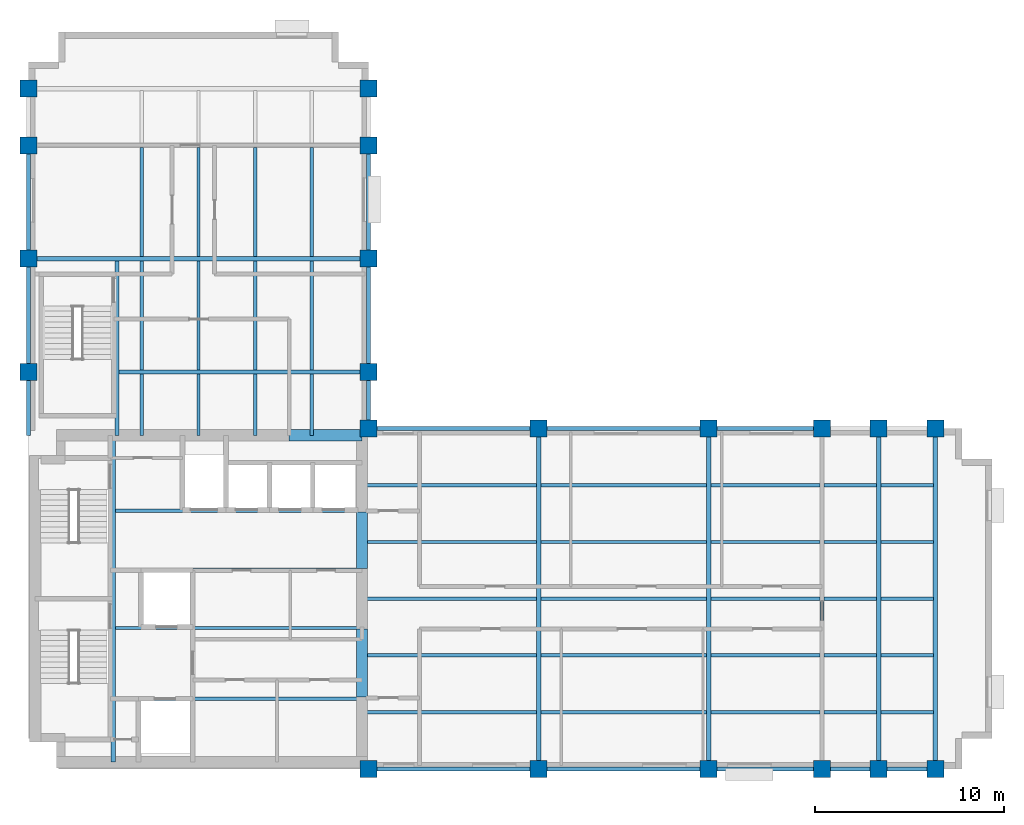
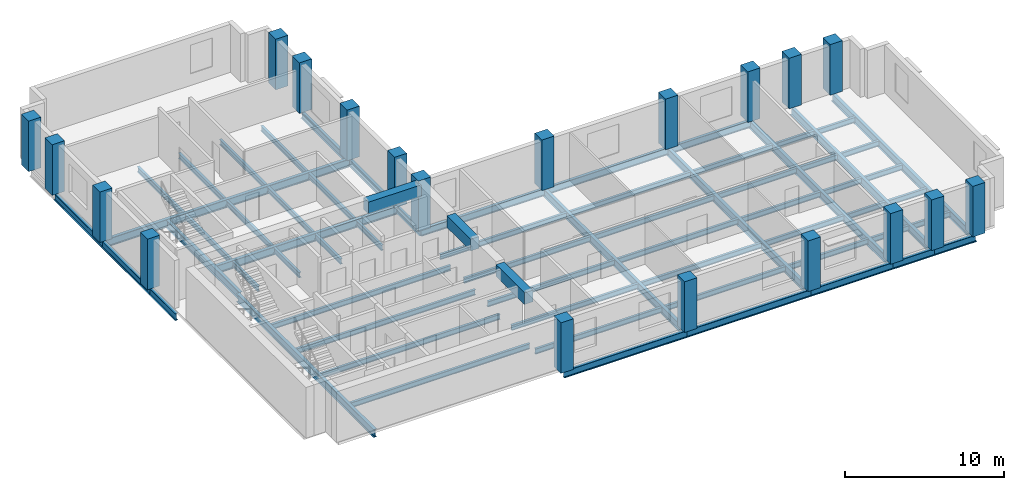
# One storey, part 1 of 6: 67 beams, 20 columns.
"""IFC4 building model written with IfcOpenShell, lengths in metres."""

import ifcopenshell
import ifcopenshell.guid

model = None  # the IFC model being written
_history = None  # IfcOwnerHistory: only IFC2X3 demands one
_inside = {}  # id of a spatial element -> (the spatial element, [elements in it])
_under = {}  # id of a project, library or spatial element -> (it, [spatial elements below it])
_declared = {}  # id of a project -> (the project, [libraries it declares])
_typed = {}  # id of a type object -> (the type object, [elements of that type])
_made_of = {}  # id of a material, layer set ... -> (it, [elements and type objects made of it])


def new_model(schema):
    """Start an empty IFC model of exactly this schema.

    Asked for "IFC4X3", IfcOpenShell would pick the latest addendum, in which some entities
    have other attributes; the version numbers below select the first issue.
    IFC2X3 requires an IfcOwnerHistory on every rooted entity: one is made here for all.
    """
    global model, _history
    if schema == "IFC4X3":
        model = ifcopenshell.file(schema_version=(4, 3, 0, 0))
    else:
        model = ifcopenshell.file(schema=schema)
    _inside.clear()
    _under.clear()
    _declared.clear()
    _typed.clear()
    _made_of.clear()
    _history = None
    if model.schema == "IFC2X3":
        org = make("IfcOrganization", Name="unknown")
        user = make(
            "IfcPersonAndOrganization",
            ThePerson=make("IfcPerson", FamilyName="unknown"),
            TheOrganization=org,
        )
        app = make(
            "IfcApplication",
            ApplicationDeveloper=org,
            Version="unknown",
            ApplicationFullName="unknown",
            ApplicationIdentifier="unknown",
        )
        _history = make(
            "IfcOwnerHistory",
            OwningUser=user,
            OwningApplication=app,
            ChangeAction="ADDED",
            CreationDate=0,
        )
    return model


def make(cls, **values):
    """One entity of the class cls with the attributes given. An attribute that is None is left unset."""
    return model.create_entity(
        cls, **{name: value for name, value in values.items() if value is not None}
    )


def rooted(cls, **values):
    """An entity with a GlobalId (a new one), such as an element, a storey or a relation."""
    return make(cls, GlobalId=ifcopenshell.guid.new(), OwnerHistory=_history, **values)


def si_unit(unit_type, name, prefix=None):
    """IfcSIUnit, for example si_unit("LENGTHUNIT", "METRE", prefix="MILLI")."""
    return make("IfcSIUnit", UnitType=unit_type, Prefix=prefix, Name=name)


def assignment(units):
    """IfcUnitAssignment: the units of a project."""
    return None if units is None else make("IfcUnitAssignment", Units=units)


def point(xyz):
    """IfcCartesianPoint."""
    return None if xyz is None else make("IfcCartesianPoint", Coordinates=xyz)


def direction(xyz):
    """IfcDirection."""
    return None if xyz is None else make("IfcDirection", DirectionRatios=xyz)


def frame(location, z_axis=None, x_axis=None):
    """IfcAxis2Placement3D, a coordinate frame: its origin and axes. An axis left out is left unset."""
    return make(
        "IfcAxis2Placement3D",
        Location=point(location),
        Axis=direction(z_axis),
        RefDirection=direction(x_axis),
    )


def frame_2d(location, x_axis=None):
    """IfcAxis2Placement2D, a coordinate frame in the plane: its origin and x axis."""
    return make(
        "IfcAxis2Placement2D", Location=point(location), RefDirection=direction(x_axis)
    )


def origin():
    """The frame at (0, 0, 0) with its axes left unset."""
    return frame((0.0, 0.0, 0.0))


def origin_2d():
    """The frame at (0, 0) in the plane with its x axis left unset."""
    return frame_2d((0.0, 0.0))


def place(relative_to, where):
    """IfcLocalPlacement: puts the frame where relative to a parent placement (None: the world)."""
    return make(
        "IfcLocalPlacement", PlacementRelTo=relative_to, RelativePlacement=where
    )


def context(
    kind, dimensions, precision=None, world=None, true_north=None, identifier=None
):
    """IfcGeometricRepresentationContext, for example the 3D "Model" context."""
    return make(
        "IfcGeometricRepresentationContext",
        ContextIdentifier=identifier,
        ContextType=kind,
        CoordinateSpaceDimension=dimensions,
        Precision=precision,
        WorldCoordinateSystem=world,
        TrueNorth=true_north,
    )


def subcontext(parent, identifier, kind, view, scale=None):
    """IfcGeometricRepresentationSubContext, for example "Body" below "Model"."""
    return make(
        "IfcGeometricRepresentationSubContext",
        ContextIdentifier=identifier,
        ContextType=kind,
        ParentContext=parent,
        TargetScale=scale,
        TargetView=view,
    )


def project(units=None, contexts=None):
    """IfcProject with its units and contexts."""
    return rooted(
        "IfcProject",
        Name="project",
        RepresentationContexts=contexts,
        UnitsInContext=assignment(units),
    )


def spatial(cls, under=None, at=None, **own):
    """A site, building, storey or space (cls), placed at a placement, below another one or the project."""
    s = rooted(cls, ObjectPlacement=at, **own)
    if under is not None:
        _under.setdefault(under.id(), (under, []))[1].append(s)
    return s


def profile(cls, at=None, kind="AREA", **sizes):
    """A parametric profile (cls). Its sizes go by their IFC names, for example OverallWidth=200.0."""
    return make(cls, ProfileType=kind, Position=at, **sizes)


def rectangle(**sizes):
    """IfcRectangleProfileDef."""
    return profile("IfcRectangleProfileDef", **sizes)


def i_section(**sizes):
    """IfcIShapeProfileDef."""
    return profile("IfcIShapeProfileDef", **sizes)


def extrude(swept, where, along, depth):
    """IfcExtrudedAreaSolid: the profile swept, set in the frame where, extruded along a direction by depth."""
    return make(
        "IfcExtrudedAreaSolid",
        SweptArea=swept,
        Position=where,
        ExtrudedDirection=direction(along),
        Depth=depth,
    )


def shape(context_of_items, identifier, shape_type, items):
    """IfcShapeRepresentation: the items that make up one representation, for example the "Body"."""
    return make(
        "IfcShapeRepresentation",
        ContextOfItems=context_of_items,
        RepresentationIdentifier=identifier,
        RepresentationType=shape_type,
        Items=items,
    )


def material(Name=None, Category=None):
    """IfcMaterial."""
    return make("IfcMaterial", Name=Name, Category=Category)


def material_profile(
    of_material, cross_section, Name=None, Category=None, Priority=None
):
    """IfcMaterialProfile: a cross section and its material."""
    return make(
        "IfcMaterialProfile",
        Name=Name,
        Material=of_material,
        Profile=cross_section,
        Priority=Priority,
        Category=Category,
    )


def profile_set(profiles, Name=None, composite=None):
    """IfcMaterialProfileSet."""
    return make(
        "IfcMaterialProfileSet",
        Name=Name,
        MaterialProfiles=profiles,
        CompositeProfile=composite,
    )


def made_of(thing, what):
    """Note that an element or type object is made of a material, layer set ...; save() writes the relation."""
    if what is not None:
        _made_of.setdefault(what.id(), (what, []))[1].append(thing)
    return thing


def type_object(cls, material=None, **own):
    """A type object (cls), such as IfcWallType, which elements share."""
    return made_of(rooted(cls, **own), material)


def element(
    cls,
    number,
    at=None,
    inside=None,
    cuts=None,
    type_object=None,
    material=None,
    context=None,
    identifier="Body",
    shape_type=None,
    held_by="IfcProductDefinitionShape",
    body=None,
    shapes=None,
    **own,
):
    """One element of the class cls, such as IfcWall. Its Tag is "e" and its number.

    at: its placement. inside: the storey or other place that contains it. cuts: it is an
    opening in that element (IfcRelVoidsElement). A single representation is given by context,
    identifier, shape_type and body (its items); several are given by shapes. held_by: the class
    of the entity that holds the representations. save() writes the other relations.
    """
    e = rooted(cls, Tag="e%d" % number, ObjectPlacement=at, **own)
    if body is not None:
        shapes = [shape(context, identifier, shape_type, body)]
    if shapes is not None:
        e.Representation = make(held_by, Representations=shapes)
    if inside is not None:
        _inside.setdefault(inside.id(), (inside, []))[1].append(e)
    if cuts is not None:
        rooted(
            "IfcRelVoidsElement", RelatingBuildingElement=cuts, RelatedOpeningElement=e
        )
    if type_object is not None:
        _typed.setdefault(type_object.id(), (type_object, []))[1].append(e)
    return made_of(e, material)


def aggregate(whole, parts):
    """IfcRelAggregates: a whole, such as a stair, and the parts it consists of."""
    return rooted("IfcRelAggregates", RelatingObject=whole, RelatedObjects=parts)


def save(model, path):
    """Write the relations noted so far, then the file.

    IfcRelAggregates (storeys below a building ...), IfcRelContainedInSpatialStructure (elements
    in a storey), IfcRelDefinesByType, IfcRelAssociatesMaterial and IfcRelDeclares: one each for
    every whole, place, type object, material and project.
    """
    for whole, parts in _under.values():
        aggregate(whole, parts)
    for where, things in _inside.values():
        rooted(
            "IfcRelContainedInSpatialStructure",
            RelatedElements=things,
            RelatingStructure=where,
        )
    for kind, things in _typed.values():
        rooted("IfcRelDefinesByType", RelatedObjects=things, RelatingType=kind)
    for what, things in _made_of.values():
        rooted("IfcRelAssociatesMaterial", RelatedObjects=things, RelatingMaterial=what)
    for by, libraries in _declared.values():
        rooted("IfcRelDeclares", RelatingContext=by, RelatedDefinitions=libraries)
    model.write(path)


model = new_model("IFC4")

# Units and contexts
model_context = context("Model", 3, precision=1e-05, world=origin(), true_north=direction((0.0, 1.0)))
body_context = subcontext(model_context, "Body", "Model", "MODEL_VIEW")
ifc_project = project(units=[si_unit("LENGTHUNIT", "METRE"), si_unit("AREAUNIT", "SQUARE_METRE"), si_unit("VOLUMEUNIT", "CUBIC_METRE"), si_unit("PLANEANGLEUNIT", "RADIAN"), si_unit("MASSUNIT", "GRAM", prefix="KILO")], contexts=[model_context])

# Site, building, storey
site_placement = place(None, origin())
site = spatial("IfcSite", under=ifc_project, at=site_placement, CompositionType="ELEMENT")
building_placement = place(site_placement, origin())
building = spatial("IfcBuilding", under=site, at=building_placement, Name="Mawjdan Bourse Tower", CompositionType="ELEMENT")
storey_placement = place(building_placement, frame((0.0, 0.0, 215.10009765625)))
storey = spatial("IfcBuildingStorey", under=building, at=storey_placement, Name="L52", CompositionType="ELEMENT", Elevation=215.10009765625)

# Columns
ifc_material_1 = material(Name="Concrete C70/85", Category="concrete")
ifc_material_profile_1 = material_profile(ifc_material_1, rectangle(XDim=0.89990234375, YDim=0.89990234375, at=origin_2d()), Name="RC900X900")
ifc_profile_set_1 = profile_set([ifc_material_profile_1], Name="Concrete C70/85")
column_type = type_object("IfcColumnType", Name="COL-RC900X900", PredefinedType="COLUMN", material=ifc_profile_set_1)
for number, where, z_axis, x_axis, name in (
    (1, (24.0, 3.0, 0.0), (0.0, 0.0, 1.0), (1.0, 0.0, 0.0), "L52 Structural Column C-X240-Y30"),
    (2, (24.0, 21.0, 0.0), (0.0, 0.0, 1.0), (1.0, 0.0, 0.0), "L52 Structural Column C-X240-Y210"),
    (3, (33.0, 3.0, 0.0), (0.0, 0.0, 1.0), (1.0, 0.0, 0.0), "L52 Structural Column C-X330-Y30"),
    (4, (33.0, 21.0, 0.0), (0.0, 0.0, 1.0), (1.0, 0.0, 0.0), "L52 Structural Column C-X330-Y210"),
    (5, (42.0, 3.0, 0.0), (0.0, 0.0, 1.0), (1.0, 0.0, 0.0), "L52 Structural Column C-X420-Y30"),
    (6, (42.0, 21.0, 0.0), (0.0, 0.0, 1.0), (1.0, 0.0, 0.0), "L52 Structural Column C-X420-Y210"),
    (7, (48.0, 3.0, 0.0), (0.0, 0.0, 1.0), (1.0, 0.0, 0.0), "L52 Structural Column C-X480-Y30"),
    (8, (48.0, 21.0, 0.0), (0.0, 0.0, 1.0), (1.0, 0.0, 0.0), "L52 Structural Column C-X480-Y210"),
    (9, (51.0, 3.0, 0.0), (0.0, 0.0, 1.0), (1.0, 0.0, 0.0), "L52 Structural Column C-X510-Y30"),
    (10, (51.0, 21.0, 0.0), (0.0, 0.0, 1.0), (1.0, 0.0, 0.0), "L52 Structural Column C-X510-Y210"),
    (11, (54.0, 3.0, 0.0), (0.0, 0.0, 1.0), (1.0, 0.0, 0.0), "L52 Structural Column C-X540-Y30"),
    (12, (54.0, 21.0, 0.0), (0.0, 0.0, 1.0), (1.0, 0.0, 0.0), "L52 Structural Column C-X540-Y210"),
    (13, (6.0, 24.0, 0.0), (0.0, 0.0, 1.0), (1.0, 0.0, 0.0), "L52 Structural Column C-X60-Y240"),
    (14, (24.0, 24.0, 0.0), (0.0, 0.0, 1.0), (1.0, 0.0, 0.0), "L52 Structural Column C-X240-Y240"),
    (15, (6.0, 30.0, 0.0), (0.0, 0.0, 1.0), (1.0, 0.0, 0.0), "L52 Structural Column C-X60-Y300"),
    (16, (24.0, 30.0, 0.0), (0.0, 0.0, 1.0), (1.0, 0.0, 0.0), "L52 Structural Column C-X240-Y300"),
    (17, (6.0, 36.0, 0.0), (0.0, 0.0, 1.0), (1.0, 0.0, 0.0), "L52 Structural Column C-X60-Y360"),
    (18, (24.0, 36.0, 0.0), (0.0, 0.0, 1.0), (1.0, 0.0, 0.0), "L52 Structural Column C-X240-Y360"),
    (19, (6.0, 39.0, 0.0), (0.0, 0.0, 1.0), (1.0, 0.0, 0.0), "L52 Structural Column C-X60-Y390"),
    (20, (24.0, 39.0, 0.0), (0.0, 0.0, 1.0), (1.0, 0.0, 0.0), "L52 Structural Column C-X240-Y390"),
):
    element("IfcColumn", number, at=place(storey_placement, frame(where, z_axis=z_axis, x_axis=x_axis)), inside=storey, type_object=column_type, Name=name, PredefinedType="COLUMN", context=body_context, shape_type="SweptSolid", body=[
        extrude(rectangle(XDim=0.89990234375, YDim=0.89990234375, at=origin_2d()), origin(), (0.0, 0.0, 1.0), 3.89990234375),
    ])

# Beams
ifc_material_2 = material(Name="Structural Steel S355", Category="steel")
ifc_material_profile_2 = material_profile(ifc_material_2, i_section(OverallWidth=0.22998046875, OverallDepth=0.616943359375, WebThickness=0.01318359375, FlangeThickness=0.022216796875, FilletRadius=0.017822265625, at=origin_2d()), Name="W24X94")
ifc_profile_set_2 = profile_set([ifc_material_profile_2], Name="Structural Steel S355")
beam_type_1 = type_object("IfcBeamType", Name="GRD-W24X94", PredefinedType="BEAM", material=ifc_profile_set_2)
beam_1_placement = place(storey_placement, frame((10.47998046875, 3.35009765625, -0.508544921875), z_axis=(0.0, 1.0, 0.0), x_axis=(-1.0, 0.0, 0.0)))
element("IfcBeam", 21, at=beam_1_placement, inside=storey, type_object=beam_type_1, Name="L52 Core Stair Trimmer Girder 001", PredefinedType="BEAM", context=body_context, shape_type="SweptSolid", body=[
    extrude(i_section(OverallWidth=0.22998046875, OverallDepth=0.616943359375, WebThickness=0.01318359375, FlangeThickness=0.022216796875, FilletRadius=0.017822265625, at=origin_2d()), origin(), (0.0, 0.0, 1.0), 17.2998046875),
])
for number, where, z_axis, x_axis, name in (
    (22, (33.0, 3.0, -0.508544921875), (0.0, 1.0, 0.0), (-1.0, 0.0, 0.0), "L52 East Wing Clear-Span Girder 002"),
    (23, (42.0, 3.0, -0.508544921875), (0.0, 1.0, 0.0), (-1.0, 0.0, 0.0), "L52 East Wing Clear-Span Girder 003"),
    (24, (48.0, 3.0, -0.508544921875), (0.0, 1.0, 0.0), (-1.0, 0.0, 0.0), "L52 East Wing Clear-Span Girder 004"),
    (25, (51.0, 3.0, -0.508544921875), (0.0, 1.0, 0.0), (-1.0, 0.0, 0.0), "L52 East Wing Clear-Span Girder 005"),
    (26, (54.0, 3.0, -0.508544921875), (0.0, 1.0, 0.0), (-1.0, 0.0, 0.0), "L52 East Wing Clear-Span Girder 006"),
):
    element("IfcBeam", number, at=place(storey_placement, frame(where, z_axis=z_axis, x_axis=x_axis)), inside=storey, type_object=beam_type_1, Name=name, PredefinedType="BEAM", context=body_context, shape_type="SweptSolid", body=[
        extrude(i_section(OverallWidth=0.22998046875, OverallDepth=0.616943359375, WebThickness=0.01318359375, FlangeThickness=0.022216796875, FilletRadius=0.017822265625, at=origin_2d()), origin(), (0.0, 0.0, 1.0), 18.0),
    ])
beam_2_placement = place(storey_placement, frame((10.679931640625, 20.64990234375, -0.508544921875), z_axis=(0.0, 1.0, 0.0), x_axis=(-1.0, 0.0, 0.0)))
element("IfcBeam", 27, at=beam_2_placement, inside=storey, type_object=beam_type_1, Name="L52 North Wing Stair Trimmer Girder 046", PredefinedType="BEAM", context=body_context, shape_type="SweptSolid", body=[
    extrude(i_section(OverallWidth=0.22998046875, OverallDepth=0.616943359375, WebThickness=0.01318359375, FlangeThickness=0.022216796875, FilletRadius=0.017822265625, at=origin_2d()), origin(), (0.0, 0.0, 1.0), 9.237060546875),
])
beam_3_placement = place(storey_placement, frame((10.79296875, 24.0, -0.508544921875), z_axis=(1.0, 0.0, 0.0), x_axis=(0.0, 1.0, 0.0)))
element("IfcBeam", 28, at=beam_3_placement, inside=storey, type_object=beam_type_1, Name="L52 North Wing Clear-Span Girder 047", PredefinedType="BEAM", context=body_context, shape_type="SweptSolid", body=[
    extrude(i_section(OverallWidth=0.22998046875, OverallDepth=0.616943359375, WebThickness=0.01318359375, FlangeThickness=0.022216796875, FilletRadius=0.017822265625, at=origin_2d()), origin(), (0.0, 0.0, 1.0), 13.20703125),
])
beam_4_placement = place(storey_placement, frame((6.0, 30.0, -0.508544921875), z_axis=(1.0, 0.0, 0.0), x_axis=(0.0, 1.0, 0.0)))
element("IfcBeam", 29, at=beam_4_placement, inside=storey, type_object=beam_type_1, Name="L52 North Wing Clear-Span Girder 048", PredefinedType="BEAM", context=body_context, shape_type="SweptSolid", body=[
    extrude(i_section(OverallWidth=0.22998046875, OverallDepth=0.616943359375, WebThickness=0.01318359375, FlangeThickness=0.022216796875, FilletRadius=0.017822265625, at=origin_2d()), origin(), (0.0, 0.0, 1.0), 18.0),
])
ifc_material_profile_3 = material_profile(ifc_material_2, i_section(OverallWidth=0.177978515625, OverallDepth=0.406982421875, WebThickness=0.0078125, FlangeThickness=0.0126953125, FilletRadius=0.01025390625, at=origin_2d()), Name="W16X40")
ifc_profile_set_3 = profile_set([ifc_material_profile_3], Name="Structural Steel S355")
beam_type_2 = type_object("IfcBeamType", Name="JST-W16X40", PredefinedType="JOIST", material=ifc_profile_set_3)
beam_5_placement = place(storey_placement, frame((23.64990234375, 6.0, -0.403564453125), z_axis=(1.0, 0.0, 0.0), x_axis=(0.0, 1.0, 0.0)))
element("IfcBeam", 30, at=beam_5_placement, inside=storey, type_object=beam_type_2, Name="L52 East Wing Composite Joist 017", PredefinedType="JOIST", context=body_context, shape_type="SweptSolid", body=[
    extrude(i_section(OverallWidth=0.177978515625, OverallDepth=0.406982421875, WebThickness=0.0078125, FlangeThickness=0.0126953125, FilletRadius=0.01025390625, at=origin_2d()), origin(), (0.0, 0.0, 1.0), 9.237060546875),
])
beam_6_placement = place(storey_placement, frame((33.113037109375, 6.0, -0.403564453125), z_axis=(1.0, 0.0, 0.0), x_axis=(0.0, 1.0, 0.0)))
element("IfcBeam", 31, at=beam_6_placement, inside=storey, type_object=beam_type_2, Name="L52 East Wing Composite Joist 018", PredefinedType="JOIST", context=body_context, shape_type="SweptSolid", body=[
    extrude(i_section(OverallWidth=0.177978515625, OverallDepth=0.406982421875, WebThickness=0.0078125, FlangeThickness=0.0126953125, FilletRadius=0.01025390625, at=origin_2d()), origin(), (0.0, 0.0, 1.0), 8.77392578125),
])
beam_7_placement = place(storey_placement, frame((42.113037109375, 6.0, -0.403564453125), z_axis=(1.0, 0.0, 0.0), x_axis=(0.0, 1.0, 0.0)))
element("IfcBeam", 32, at=beam_7_placement, inside=storey, type_object=beam_type_2, Name="L52 East Wing Composite Joist 019", PredefinedType="JOIST", context=body_context, shape_type="SweptSolid", body=[
    extrude(i_section(OverallWidth=0.177978515625, OverallDepth=0.406982421875, WebThickness=0.0078125, FlangeThickness=0.0126953125, FilletRadius=0.01025390625, at=origin_2d()), origin(), (0.0, 0.0, 1.0), 5.77392578125),
])
for number, where, z_axis, x_axis, name in (
    (33, (48.113037109375, 6.0, -0.403564453125), (1.0, 0.0, 0.0), (0.0, 1.0, 0.0), "L52 East Wing Composite Joist 020"),
    (34, (51.113037109375, 6.0, -0.403564453125), (1.0, 0.0, 0.0), (0.0, 1.0, 0.0), "L52 East Wing Composite Joist 021"),
):
    element("IfcBeam", number, at=place(storey_placement, frame(where, z_axis=z_axis, x_axis=x_axis)), inside=storey, type_object=beam_type_2, Name=name, PredefinedType="JOIST", context=body_context, shape_type="SweptSolid", body=[
        extrude(i_section(OverallWidth=0.177978515625, OverallDepth=0.406982421875, WebThickness=0.0078125, FlangeThickness=0.0126953125, FilletRadius=0.01025390625, at=origin_2d()), origin(), (0.0, 0.0, 1.0), 2.77392578125),
    ])
beam_8_placement = place(storey_placement, frame((23.64990234375, 9.0, -0.403564453125), z_axis=(1.0, 0.0, 0.0), x_axis=(0.0, 1.0, 0.0)))
element("IfcBeam", 35, at=beam_8_placement, inside=storey, type_object=beam_type_2, Name="L52 East Wing Composite Joist 022", PredefinedType="JOIST", context=body_context, shape_type="SweptSolid", body=[
    extrude(i_section(OverallWidth=0.177978515625, OverallDepth=0.406982421875, WebThickness=0.0078125, FlangeThickness=0.0126953125, FilletRadius=0.01025390625, at=origin_2d()), origin(), (0.0, 0.0, 1.0), 9.237060546875),
])
beam_9_placement = place(storey_placement, frame((33.113037109375, 9.0, -0.403564453125), z_axis=(1.0, 0.0, 0.0), x_axis=(0.0, 1.0, 0.0)))
element("IfcBeam", 36, at=beam_9_placement, inside=storey, type_object=beam_type_2, Name="L52 East Wing Composite Joist 023", PredefinedType="JOIST", context=body_context, shape_type="SweptSolid", body=[
    extrude(i_section(OverallWidth=0.177978515625, OverallDepth=0.406982421875, WebThickness=0.0078125, FlangeThickness=0.0126953125, FilletRadius=0.01025390625, at=origin_2d()), origin(), (0.0, 0.0, 1.0), 8.77392578125),
])
beam_10_placement = place(storey_placement, frame((42.113037109375, 9.0, -0.403564453125), z_axis=(1.0, 0.0, 0.0), x_axis=(0.0, 1.0, 0.0)))
element("IfcBeam", 37, at=beam_10_placement, inside=storey, type_object=beam_type_2, Name="L52 East Wing Composite Joist 024", PredefinedType="JOIST", context=body_context, shape_type="SweptSolid", body=[
    extrude(i_section(OverallWidth=0.177978515625, OverallDepth=0.406982421875, WebThickness=0.0078125, FlangeThickness=0.0126953125, FilletRadius=0.01025390625, at=origin_2d()), origin(), (0.0, 0.0, 1.0), 5.77392578125),
])
for number, where, z_axis, x_axis, name in (
    (38, (48.113037109375, 9.0, -0.403564453125), (1.0, 0.0, 0.0), (0.0, 1.0, 0.0), "L52 East Wing Composite Joist 025"),
    (39, (51.113037109375, 9.0, -0.403564453125), (1.0, 0.0, 0.0), (0.0, 1.0, 0.0), "L52 East Wing Composite Joist 026"),
):
    element("IfcBeam", number, at=place(storey_placement, frame(where, z_axis=z_axis, x_axis=x_axis)), inside=storey, type_object=beam_type_2, Name=name, PredefinedType="JOIST", context=body_context, shape_type="SweptSolid", body=[
        extrude(i_section(OverallWidth=0.177978515625, OverallDepth=0.406982421875, WebThickness=0.0078125, FlangeThickness=0.0126953125, FilletRadius=0.01025390625, at=origin_2d()), origin(), (0.0, 0.0, 1.0), 2.77392578125),
    ])
beam_11_placement = place(storey_placement, frame((23.64990234375, 12.0, -0.403564453125), z_axis=(1.0, 0.0, 0.0), x_axis=(0.0, 1.0, 0.0)))
element("IfcBeam", 40, at=beam_11_placement, inside=storey, type_object=beam_type_2, Name="L52 East Wing Composite Joist 027", PredefinedType="JOIST", context=body_context, shape_type="SweptSolid", body=[
    extrude(i_section(OverallWidth=0.177978515625, OverallDepth=0.406982421875, WebThickness=0.0078125, FlangeThickness=0.0126953125, FilletRadius=0.01025390625, at=origin_2d()), origin(), (0.0, 0.0, 1.0), 9.237060546875),
])
beam_12_placement = place(storey_placement, frame((33.113037109375, 12.0, -0.403564453125), z_axis=(1.0, 0.0, 0.0), x_axis=(0.0, 1.0, 0.0)))
element("IfcBeam", 41, at=beam_12_placement, inside=storey, type_object=beam_type_2, Name="L52 East Wing Composite Joist 028", PredefinedType="JOIST", context=body_context, shape_type="SweptSolid", body=[
    extrude(i_section(OverallWidth=0.177978515625, OverallDepth=0.406982421875, WebThickness=0.0078125, FlangeThickness=0.0126953125, FilletRadius=0.01025390625, at=origin_2d()), origin(), (0.0, 0.0, 1.0), 8.77392578125),
])
beam_13_placement = place(storey_placement, frame((42.113037109375, 12.0, -0.403564453125), z_axis=(1.0, 0.0, 0.0), x_axis=(0.0, 1.0, 0.0)))
element("IfcBeam", 42, at=beam_13_placement, inside=storey, type_object=beam_type_2, Name="L52 East Wing Composite Joist 029", PredefinedType="JOIST", context=body_context, shape_type="SweptSolid", body=[
    extrude(i_section(OverallWidth=0.177978515625, OverallDepth=0.406982421875, WebThickness=0.0078125, FlangeThickness=0.0126953125, FilletRadius=0.01025390625, at=origin_2d()), origin(), (0.0, 0.0, 1.0), 5.77392578125),
])
for number, where, z_axis, x_axis, name in (
    (43, (48.113037109375, 12.0, -0.403564453125), (1.0, 0.0, 0.0), (0.0, 1.0, 0.0), "L52 East Wing Composite Joist 030"),
    (44, (51.113037109375, 12.0, -0.403564453125), (1.0, 0.0, 0.0), (0.0, 1.0, 0.0), "L52 East Wing Composite Joist 031"),
):
    element("IfcBeam", number, at=place(storey_placement, frame(where, z_axis=z_axis, x_axis=x_axis)), inside=storey, type_object=beam_type_2, Name=name, PredefinedType="JOIST", context=body_context, shape_type="SweptSolid", body=[
        extrude(i_section(OverallWidth=0.177978515625, OverallDepth=0.406982421875, WebThickness=0.0078125, FlangeThickness=0.0126953125, FilletRadius=0.01025390625, at=origin_2d()), origin(), (0.0, 0.0, 1.0), 2.77392578125),
    ])
beam_14_placement = place(storey_placement, frame((23.64990234375, 15.0, -0.403564453125), z_axis=(1.0, 0.0, 0.0), x_axis=(0.0, 1.0, 0.0)))
element("IfcBeam", 45, at=beam_14_placement, inside=storey, type_object=beam_type_2, Name="L52 East Wing Composite Joist 032", PredefinedType="JOIST", context=body_context, shape_type="SweptSolid", body=[
    extrude(i_section(OverallWidth=0.177978515625, OverallDepth=0.406982421875, WebThickness=0.0078125, FlangeThickness=0.0126953125, FilletRadius=0.01025390625, at=origin_2d()), origin(), (0.0, 0.0, 1.0), 9.237060546875),
])
beam_15_placement = place(storey_placement, frame((33.113037109375, 15.0, -0.403564453125), z_axis=(1.0, 0.0, 0.0), x_axis=(0.0, 1.0, 0.0)))
element("IfcBeam", 46, at=beam_15_placement, inside=storey, type_object=beam_type_2, Name="L52 East Wing Composite Joist 033", PredefinedType="JOIST", context=body_context, shape_type="SweptSolid", body=[
    extrude(i_section(OverallWidth=0.177978515625, OverallDepth=0.406982421875, WebThickness=0.0078125, FlangeThickness=0.0126953125, FilletRadius=0.01025390625, at=origin_2d()), origin(), (0.0, 0.0, 1.0), 8.77392578125),
])
beam_16_placement = place(storey_placement, frame((42.113037109375, 15.0, -0.403564453125), z_axis=(1.0, 0.0, 0.0), x_axis=(0.0, 1.0, 0.0)))
element("IfcBeam", 47, at=beam_16_placement, inside=storey, type_object=beam_type_2, Name="L52 East Wing Composite Joist 034", PredefinedType="JOIST", context=body_context, shape_type="SweptSolid", body=[
    extrude(i_section(OverallWidth=0.177978515625, OverallDepth=0.406982421875, WebThickness=0.0078125, FlangeThickness=0.0126953125, FilletRadius=0.01025390625, at=origin_2d()), origin(), (0.0, 0.0, 1.0), 5.77392578125),
])
for number, where, z_axis, x_axis, name in (
    (48, (48.113037109375, 15.0, -0.403564453125), (1.0, 0.0, 0.0), (0.0, 1.0, 0.0), "L52 East Wing Composite Joist 035"),
    (49, (51.113037109375, 15.0, -0.403564453125), (1.0, 0.0, 0.0), (0.0, 1.0, 0.0), "L52 East Wing Composite Joist 036"),
):
    element("IfcBeam", number, at=place(storey_placement, frame(where, z_axis=z_axis, x_axis=x_axis)), inside=storey, type_object=beam_type_2, Name=name, PredefinedType="JOIST", context=body_context, shape_type="SweptSolid", body=[
        extrude(i_section(OverallWidth=0.177978515625, OverallDepth=0.406982421875, WebThickness=0.0078125, FlangeThickness=0.0126953125, FilletRadius=0.01025390625, at=origin_2d()), origin(), (0.0, 0.0, 1.0), 2.77392578125),
    ])
beam_17_placement = place(storey_placement, frame((23.64990234375, 18.0, -0.403564453125), z_axis=(1.0, 0.0, 0.0), x_axis=(0.0, 1.0, 0.0)))
element("IfcBeam", 50, at=beam_17_placement, inside=storey, type_object=beam_type_2, Name="L52 East Wing Composite Joist 037", PredefinedType="JOIST", context=body_context, shape_type="SweptSolid", body=[
    extrude(i_section(OverallWidth=0.177978515625, OverallDepth=0.406982421875, WebThickness=0.0078125, FlangeThickness=0.0126953125, FilletRadius=0.01025390625, at=origin_2d()), origin(), (0.0, 0.0, 1.0), 9.237060546875),
])
beam_18_placement = place(storey_placement, frame((33.113037109375, 18.0, -0.403564453125), z_axis=(1.0, 0.0, 0.0), x_axis=(0.0, 1.0, 0.0)))
element("IfcBeam", 51, at=beam_18_placement, inside=storey, type_object=beam_type_2, Name="L52 East Wing Composite Joist 038", PredefinedType="JOIST", context=body_context, shape_type="SweptSolid", body=[
    extrude(i_section(OverallWidth=0.177978515625, OverallDepth=0.406982421875, WebThickness=0.0078125, FlangeThickness=0.0126953125, FilletRadius=0.01025390625, at=origin_2d()), origin(), (0.0, 0.0, 1.0), 8.77392578125),
])
beam_19_placement = place(storey_placement, frame((42.113037109375, 18.0, -0.403564453125), z_axis=(1.0, 0.0, 0.0), x_axis=(0.0, 1.0, 0.0)))
element("IfcBeam", 52, at=beam_19_placement, inside=storey, type_object=beam_type_2, Name="L52 East Wing Composite Joist 039", PredefinedType="JOIST", context=body_context, shape_type="SweptSolid", body=[
    extrude(i_section(OverallWidth=0.177978515625, OverallDepth=0.406982421875, WebThickness=0.0078125, FlangeThickness=0.0126953125, FilletRadius=0.01025390625, at=origin_2d()), origin(), (0.0, 0.0, 1.0), 5.77392578125),
])
for number, where, z_axis, x_axis, name in (
    (53, (48.113037109375, 18.0, -0.403564453125), (1.0, 0.0, 0.0), (0.0, 1.0, 0.0), "L52 East Wing Composite Joist 040"),
    (54, (51.113037109375, 18.0, -0.403564453125), (1.0, 0.0, 0.0), (0.0, 1.0, 0.0), "L52 East Wing Composite Joist 041"),
):
    element("IfcBeam", number, at=place(storey_placement, frame(where, z_axis=z_axis, x_axis=x_axis)), inside=storey, type_object=beam_type_2, Name=name, PredefinedType="JOIST", context=body_context, shape_type="SweptSolid", body=[
        extrude(i_section(OverallWidth=0.177978515625, OverallDepth=0.406982421875, WebThickness=0.0078125, FlangeThickness=0.0126953125, FilletRadius=0.01025390625, at=origin_2d()), origin(), (0.0, 0.0, 1.0), 2.77392578125),
    ])
for number, where, z_axis, x_axis, name in (
    (55, (10.593017578125, 6.699951171875, -0.403564453125), (1.0, 0.0, 0.0), (0.0, 1.0, 0.0), "L52 Core Floor Joist 042"),
    (56, (10.593017578125, 10.449951171875, -0.403564453125), (1.0, 0.0, 0.0), (0.0, 1.0, 0.0), "L52 Core Floor Joist 043"),
    (57, (10.593017578125, 13.550048828125, -0.403564453125), (1.0, 0.0, 0.0), (0.0, 1.0, 0.0), "L52 Core Floor Joist 044"),
    (58, (10.593017578125, 16.64990234375, -0.403564453125), (1.0, 0.0, 0.0), (0.0, 1.0, 0.0), "L52 Core Floor Joist 045"),
):
    element("IfcBeam", number, at=place(storey_placement, frame(where, z_axis=z_axis, x_axis=x_axis)), inside=storey, type_object=beam_type_2, Name=name, PredefinedType="JOIST", context=body_context, shape_type="SweptSolid", body=[
        extrude(i_section(OverallWidth=0.177978515625, OverallDepth=0.406982421875, WebThickness=0.0078125, FlangeThickness=0.0126953125, FilletRadius=0.01025390625, at=origin_2d()), origin(), (0.0, 0.0, 1.0), 13.056884765625),
    ])
beam_20_placement = place(storey_placement, frame((12.0, 20.64990234375, -0.403564453125), z_axis=(0.0, 1.0, 0.0), x_axis=(-1.0, 0.0, 0.0)))
element("IfcBeam", 59, at=beam_20_placement, inside=storey, type_object=beam_type_2, Name="L52 North Wing Composite Joist 059", PredefinedType="JOIST", context=body_context, shape_type="SweptSolid", body=[
    extrude(i_section(OverallWidth=0.177978515625, OverallDepth=0.406982421875, WebThickness=0.0078125, FlangeThickness=0.0126953125, FilletRadius=0.01025390625, at=origin_2d()), origin(), (0.0, 0.0, 1.0), 3.237060546875),
])
for number, where, z_axis, x_axis, name in (
    (60, (12.0, 24.113037109375, -0.403564453125), (0.0, 1.0, 0.0), (-1.0, 0.0, 0.0), "L52 North Wing Composite Joist 060"),
    (61, (12.0, 30.113037109375, -0.403564453125), (0.0, 1.0, 0.0), (-1.0, 0.0, 0.0), "L52 North Wing Composite Joist 061"),
):
    element("IfcBeam", number, at=place(storey_placement, frame(where, z_axis=z_axis, x_axis=x_axis)), inside=storey, type_object=beam_type_2, Name=name, PredefinedType="JOIST", context=body_context, shape_type="SweptSolid", body=[
        extrude(i_section(OverallWidth=0.177978515625, OverallDepth=0.406982421875, WebThickness=0.0078125, FlangeThickness=0.0126953125, FilletRadius=0.01025390625, at=origin_2d()), origin(), (0.0, 0.0, 1.0), 5.77392578125),
    ])
beam_21_placement = place(storey_placement, frame((15.0, 20.64990234375, -0.403564453125), z_axis=(0.0, 1.0, 0.0), x_axis=(-1.0, 0.0, 0.0)))
element("IfcBeam", 62, at=beam_21_placement, inside=storey, type_object=beam_type_2, Name="L52 North Wing Composite Joist 063", PredefinedType="JOIST", context=body_context, shape_type="SweptSolid", body=[
    extrude(i_section(OverallWidth=0.177978515625, OverallDepth=0.406982421875, WebThickness=0.0078125, FlangeThickness=0.0126953125, FilletRadius=0.01025390625, at=origin_2d()), origin(), (0.0, 0.0, 1.0), 3.237060546875),
])
for number, where, z_axis, x_axis, name in (
    (63, (15.0, 24.113037109375, -0.403564453125), (0.0, 1.0, 0.0), (-1.0, 0.0, 0.0), "L52 North Wing Composite Joist 064"),
    (64, (15.0, 30.113037109375, -0.403564453125), (0.0, 1.0, 0.0), (-1.0, 0.0, 0.0), "L52 North Wing Composite Joist 065"),
):
    element("IfcBeam", number, at=place(storey_placement, frame(where, z_axis=z_axis, x_axis=x_axis)), inside=storey, type_object=beam_type_2, Name=name, PredefinedType="JOIST", context=body_context, shape_type="SweptSolid", body=[
        extrude(i_section(OverallWidth=0.177978515625, OverallDepth=0.406982421875, WebThickness=0.0078125, FlangeThickness=0.0126953125, FilletRadius=0.01025390625, at=origin_2d()), origin(), (0.0, 0.0, 1.0), 5.77392578125),
    ])
beam_22_placement = place(storey_placement, frame((18.0, 20.64990234375, -0.403564453125), z_axis=(0.0, 1.0, 0.0), x_axis=(-1.0, 0.0, 0.0)))
element("IfcBeam", 65, at=beam_22_placement, inside=storey, type_object=beam_type_2, Name="L52 North Wing Composite Joist 067", PredefinedType="JOIST", context=body_context, shape_type="SweptSolid", body=[
    extrude(i_section(OverallWidth=0.177978515625, OverallDepth=0.406982421875, WebThickness=0.0078125, FlangeThickness=0.0126953125, FilletRadius=0.01025390625, at=origin_2d()), origin(), (0.0, 0.0, 1.0), 3.237060546875),
])
for number, where, z_axis, x_axis, name in (
    (66, (18.0, 24.113037109375, -0.403564453125), (0.0, 1.0, 0.0), (-1.0, 0.0, 0.0), "L52 North Wing Composite Joist 068"),
    (67, (18.0, 30.113037109375, -0.403564453125), (0.0, 1.0, 0.0), (-1.0, 0.0, 0.0), "L52 North Wing Composite Joist 069"),
):
    element("IfcBeam", number, at=place(storey_placement, frame(where, z_axis=z_axis, x_axis=x_axis)), inside=storey, type_object=beam_type_2, Name=name, PredefinedType="JOIST", context=body_context, shape_type="SweptSolid", body=[
        extrude(i_section(OverallWidth=0.177978515625, OverallDepth=0.406982421875, WebThickness=0.0078125, FlangeThickness=0.0126953125, FilletRadius=0.01025390625, at=origin_2d()), origin(), (0.0, 0.0, 1.0), 5.77392578125),
    ])
beam_23_placement = place(storey_placement, frame((21.0, 20.64990234375, -0.403564453125), z_axis=(0.0, 1.0, 0.0), x_axis=(-1.0, 0.0, 0.0)))
element("IfcBeam", 68, at=beam_23_placement, inside=storey, type_object=beam_type_2, Name="L52 North Wing Composite Joist 071", PredefinedType="JOIST", context=body_context, shape_type="SweptSolid", body=[
    extrude(i_section(OverallWidth=0.177978515625, OverallDepth=0.406982421875, WebThickness=0.0078125, FlangeThickness=0.0126953125, FilletRadius=0.01025390625, at=origin_2d()), origin(), (0.0, 0.0, 1.0), 3.237060546875),
])
for number, where, z_axis, x_axis, name in (
    (69, (21.0, 24.113037109375, -0.403564453125), (0.0, 1.0, 0.0), (-1.0, 0.0, 0.0), "L52 North Wing Composite Joist 072"),
    (70, (21.0, 30.113037109375, -0.403564453125), (0.0, 1.0, 0.0), (-1.0, 0.0, 0.0), "L52 North Wing Composite Joist 073"),
):
    element("IfcBeam", number, at=place(storey_placement, frame(where, z_axis=z_axis, x_axis=x_axis)), inside=storey, type_object=beam_type_2, Name=name, PredefinedType="JOIST", context=body_context, shape_type="SweptSolid", body=[
        extrude(i_section(OverallWidth=0.177978515625, OverallDepth=0.406982421875, WebThickness=0.0078125, FlangeThickness=0.0126953125, FilletRadius=0.01025390625, at=origin_2d()), origin(), (0.0, 0.0, 1.0), 5.77392578125),
    ])
ifc_material_profile_4 = material_profile(ifc_material_1, rectangle(XDim=0.60009765625, YDim=0.89990234375, at=origin_2d()), Name="RCB600X900")
ifc_profile_set_4 = profile_set([ifc_material_profile_4], Name="Concrete C70/85")
beam_type_3 = type_object("IfcBeamType", Name="LNT-RCB600X900", PredefinedType="LINTEL", material=ifc_profile_set_4)
beam_24_placement = place(storey_placement, frame((23.64990234375, 6.800048828125, 3.25), z_axis=(0.0, 1.0, 0.0), x_axis=(-1.0, 0.0, 0.0)))
element("IfcBeam", 71, at=beam_24_placement, inside=storey, type_object=beam_type_3, Name="L52 Coupled Core Lintel CB-E1", PredefinedType="LINTEL", context=body_context, shape_type="SweptSolid", body=[
    extrude(rectangle(XDim=0.60009765625, YDim=0.89990234375, at=origin_2d()), origin(), (0.0, 0.0, 1.0), 3.599853515625),
])
beam_25_placement = place(storey_placement, frame((23.64990234375, 13.60009765625, 3.25), z_axis=(0.0, 1.0, 0.0), x_axis=(-1.0, 0.0, 0.0)))
element("IfcBeam", 72, at=beam_25_placement, inside=storey, type_object=beam_type_3, Name="L52 Coupled Core Lintel CB-E2", PredefinedType="LINTEL", context=body_context, shape_type="SweptSolid", body=[
    extrude(rectangle(XDim=0.60009765625, YDim=0.89990234375, at=origin_2d()), origin(), (0.0, 0.0, 1.0), 3.0),
])
beam_26_placement = place(storey_placement, frame((19.800048828125, 20.64990234375, 3.25), z_axis=(1.0, 0.0, 0.0), x_axis=(0.0, 1.0, 0.0)))
element("IfcBeam", 73, at=beam_26_placement, inside=storey, type_object=beam_type_3, Name="L52 Coupled Core Lintel CB-N1", PredefinedType="LINTEL", context=body_context, shape_type="SweptSolid", body=[
    extrude(rectangle(XDim=0.60009765625, YDim=0.89990234375, at=origin_2d()), origin(), (0.0, 0.0, 1.0), 3.849853515625),
])
ifc_material_profile_5 = material_profile(ifc_material_2, i_section(OverallWidth=0.2099609375, OverallDepth=0.537109375, WebThickness=0.010986328125, FlangeThickness=0.017333984375, FilletRadius=0.013916015625, at=origin_2d()), Name="W21X68")
ifc_profile_set_5 = profile_set([ifc_material_profile_5], Name="Structural Steel S355")
beam_type_4 = type_object("IfcBeamType", Name="SPN-W21X68", PredefinedType="SPANDREL", material=ifc_profile_set_5)
for number, where, z_axis, x_axis, name in (
    (74, (24.0, 3.0, -0.468505859375), (1.0, 0.0, 0.0), (0.0, 1.0, 0.0), "L52 Perimeter Masonry-Shelf Spandrel 007"),
    (75, (33.0, 3.0, -0.468505859375), (1.0, 0.0, 0.0), (0.0, 1.0, 0.0), "L52 Perimeter Masonry-Shelf Spandrel 008"),
):
    element("IfcBeam", number, at=place(storey_placement, frame(where, z_axis=z_axis, x_axis=x_axis)), inside=storey, type_object=beam_type_4, Name=name, PredefinedType="SPANDREL", context=body_context, shape_type="SweptSolid", body=[
        extrude(i_section(OverallWidth=0.2099609375, OverallDepth=0.537109375, WebThickness=0.010986328125, FlangeThickness=0.017333984375, FilletRadius=0.013916015625, at=origin_2d()), origin(), (0.0, 0.0, 1.0), 9.0),
    ])
beam_27_placement = place(storey_placement, frame((42.0, 3.0, -0.468505859375), z_axis=(1.0, 0.0, 0.0), x_axis=(0.0, 1.0, 0.0)))
element("IfcBeam", 76, at=beam_27_placement, inside=storey, type_object=beam_type_4, Name="L52 Perimeter Masonry-Shelf Spandrel 009", PredefinedType="SPANDREL", context=body_context, shape_type="SweptSolid", body=[
    extrude(i_section(OverallWidth=0.2099609375, OverallDepth=0.537109375, WebThickness=0.010986328125, FlangeThickness=0.017333984375, FilletRadius=0.013916015625, at=origin_2d()), origin(), (0.0, 0.0, 1.0), 6.0),
])
for number, where, z_axis, x_axis, name in (
    (77, (48.0, 3.0, -0.468505859375), (1.0, 0.0, 0.0), (0.0, 1.0, 0.0), "L52 Perimeter Masonry-Shelf Spandrel 010"),
    (78, (51.0, 3.0, -0.468505859375), (1.0, 0.0, 0.0), (0.0, 1.0, 0.0), "L52 Perimeter Masonry-Shelf Spandrel 011"),
):
    element("IfcBeam", number, at=place(storey_placement, frame(where, z_axis=z_axis, x_axis=x_axis)), inside=storey, type_object=beam_type_4, Name=name, PredefinedType="SPANDREL", context=body_context, shape_type="SweptSolid", body=[
        extrude(i_section(OverallWidth=0.2099609375, OverallDepth=0.537109375, WebThickness=0.010986328125, FlangeThickness=0.017333984375, FilletRadius=0.013916015625, at=origin_2d()), origin(), (0.0, 0.0, 1.0), 3.0),
    ])
for number, where, z_axis, x_axis, name in (
    (79, (24.0, 21.0, -0.468505859375), (1.0, 0.0, 0.0), (0.0, 1.0, 0.0), "L52 Perimeter Masonry-Shelf Spandrel 012"),
    (80, (33.0, 21.0, -0.468505859375), (1.0, 0.0, 0.0), (0.0, 1.0, 0.0), "L52 Perimeter Masonry-Shelf Spandrel 013"),
):
    element("IfcBeam", number, at=place(storey_placement, frame(where, z_axis=z_axis, x_axis=x_axis)), inside=storey, type_object=beam_type_4, Name=name, PredefinedType="SPANDREL", context=body_context, shape_type="SweptSolid", body=[
        extrude(i_section(OverallWidth=0.2099609375, OverallDepth=0.537109375, WebThickness=0.010986328125, FlangeThickness=0.017333984375, FilletRadius=0.013916015625, at=origin_2d()), origin(), (0.0, 0.0, 1.0), 9.0),
    ])
beam_28_placement = place(storey_placement, frame((42.0, 21.0, -0.468505859375), z_axis=(1.0, 0.0, 0.0), x_axis=(0.0, 1.0, 0.0)))
element("IfcBeam", 81, at=beam_28_placement, inside=storey, type_object=beam_type_4, Name="L52 Perimeter Masonry-Shelf Spandrel 014", PredefinedType="SPANDREL", context=body_context, shape_type="SweptSolid", body=[
    extrude(i_section(OverallWidth=0.2099609375, OverallDepth=0.537109375, WebThickness=0.010986328125, FlangeThickness=0.017333984375, FilletRadius=0.013916015625, at=origin_2d()), origin(), (0.0, 0.0, 1.0), 6.0),
])
beam_29_placement = place(storey_placement, frame((6.0, 20.64990234375, -0.468505859375), z_axis=(0.0, 1.0, 0.0), x_axis=(-1.0, 0.0, 0.0)))
element("IfcBeam", 82, at=beam_29_placement, inside=storey, type_object=beam_type_4, Name="L52 North Wing Spandrel 051", PredefinedType="SPANDREL", context=body_context, shape_type="SweptSolid", body=[
    extrude(i_section(OverallWidth=0.2099609375, OverallDepth=0.537109375, WebThickness=0.010986328125, FlangeThickness=0.017333984375, FilletRadius=0.013916015625, at=origin_2d()), origin(), (0.0, 0.0, 1.0), 3.35009765625),
])
for number, where, z_axis, x_axis, name in (
    (83, (6.0, 24.0, -0.468505859375), (0.0, 1.0, 0.0), (-1.0, 0.0, 0.0), "L52 North Wing Spandrel 052"),
    (84, (6.0, 30.0, -0.468505859375), (0.0, 1.0, 0.0), (-1.0, 0.0, 0.0), "L52 North Wing Spandrel 053"),
):
    element("IfcBeam", number, at=place(storey_placement, frame(where, z_axis=z_axis, x_axis=x_axis)), inside=storey, type_object=beam_type_4, Name=name, PredefinedType="SPANDREL", context=body_context, shape_type="SweptSolid", body=[
        extrude(i_section(OverallWidth=0.2099609375, OverallDepth=0.537109375, WebThickness=0.010986328125, FlangeThickness=0.017333984375, FilletRadius=0.013916015625, at=origin_2d()), origin(), (0.0, 0.0, 1.0), 6.0),
    ])
beam_30_placement = place(storey_placement, frame((24.0, 21.0, -0.468505859375), z_axis=(0.0, 1.0, 0.0), x_axis=(-1.0, 0.0, 0.0)))
element("IfcBeam", 85, at=beam_30_placement, inside=storey, type_object=beam_type_4, Name="L52 North Wing Spandrel 055", PredefinedType="SPANDREL", context=body_context, shape_type="SweptSolid", body=[
    extrude(i_section(OverallWidth=0.2099609375, OverallDepth=0.537109375, WebThickness=0.010986328125, FlangeThickness=0.017333984375, FilletRadius=0.013916015625, at=origin_2d()), origin(), (0.0, 0.0, 1.0), 3.0),
])
for number, where, z_axis, x_axis, name in (
    (86, (24.0, 24.0, -0.468505859375), (0.0, 1.0, 0.0), (-1.0, 0.0, 0.0), "L52 North Wing Spandrel 056"),
    (87, (24.0, 30.0, -0.468505859375), (0.0, 1.0, 0.0), (-1.0, 0.0, 0.0), "L52 North Wing Spandrel 057"),
):
    element("IfcBeam", number, at=place(storey_placement, frame(where, z_axis=z_axis, x_axis=x_axis)), inside=storey, type_object=beam_type_4, Name=name, PredefinedType="SPANDREL", context=body_context, shape_type="SweptSolid", body=[
        extrude(i_section(OverallWidth=0.2099609375, OverallDepth=0.537109375, WebThickness=0.010986328125, FlangeThickness=0.017333984375, FilletRadius=0.013916015625, at=origin_2d()), origin(), (0.0, 0.0, 1.0), 6.0),
    ])

save(model, "model.ifc")
